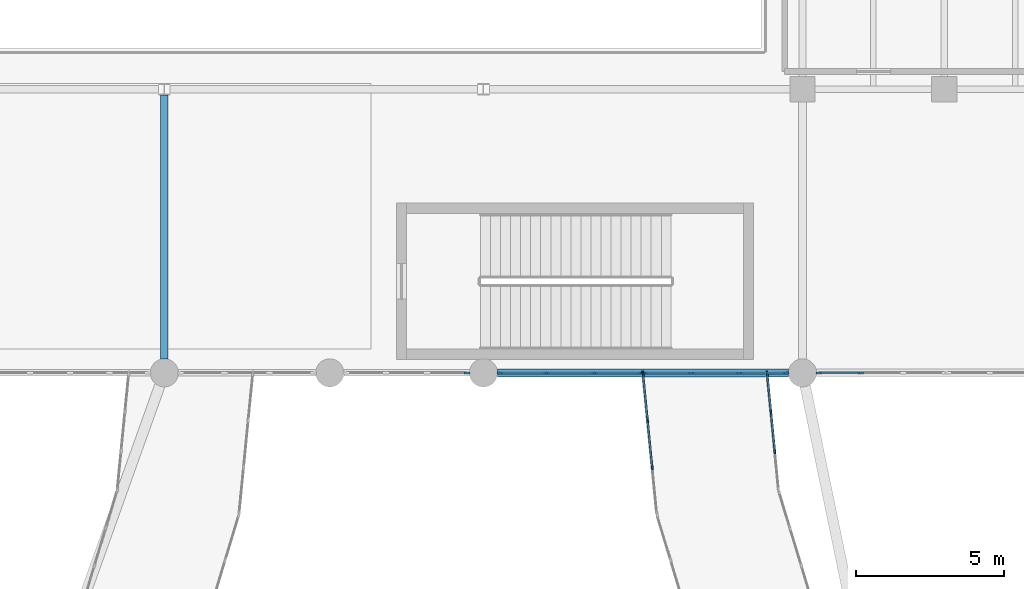
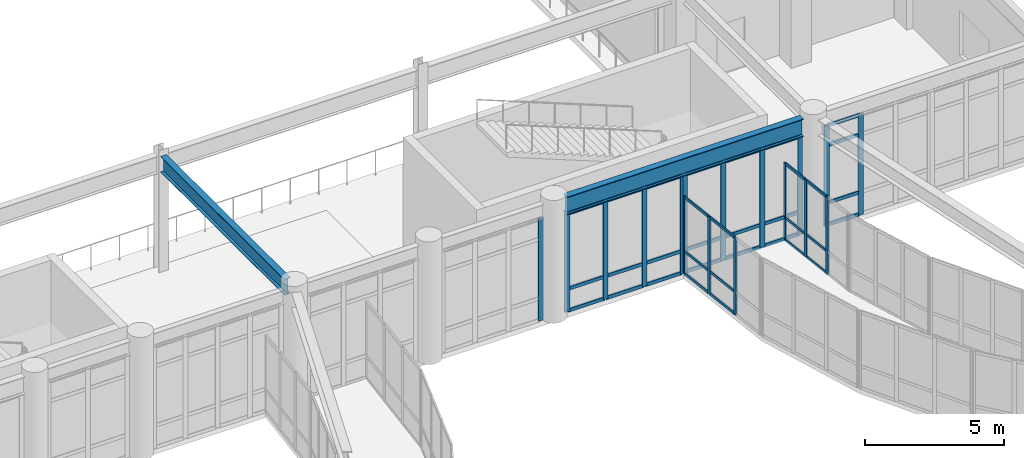
# One storey, part 29 of 72: 51 members, 2 beams, 6 elements without a shape of their own.
"""IFC4 building model written with IfcOpenShell, lengths in metres."""

from ifc_helpers import new_model, si_unit, direction, frame, origin, origin_2d, place, context, subcontext, project, spatial, rectangle, i_section, extrude, material, material_profile, profile_set, type_object, element, aggregate, save


model = new_model("IFC4")

# Units and contexts
model_context = context("Model", 3, precision=1e-05, world=origin(), true_north=direction((0.0, 1.0)))
body_context = subcontext(model_context, "Body", "Model", "MODEL_VIEW")
ifc_project = project(units=[si_unit("LENGTHUNIT", "METRE"), si_unit("AREAUNIT", "SQUARE_METRE"), si_unit("VOLUMEUNIT", "CUBIC_METRE"), si_unit("PLANEANGLEUNIT", "RADIAN"), si_unit("MASSUNIT", "GRAM", prefix="KILO")], contexts=[model_context])

# Site, building, storey
site_placement = place(None, origin())
site = spatial("IfcSite", under=ifc_project, at=site_placement, CompositionType="ELEMENT")
building_placement = place(site_placement, origin())
building = spatial("IfcBuilding", under=site, at=building_placement, Name="Veldera Park Congress Hotel", CompositionType="ELEMENT")
storey_placement = place(building_placement, frame((0.0, 0.0, 5.39990234375)))
storey = spatial("IfcBuildingStorey", under=building, at=storey_placement, Name="L01", CompositionType="ELEMENT", Elevation=5.39990234375)

# Beams
ifc_material_1 = material(Name="Steel ASTM A992 Gr.50", Category="steel")
ifc_material_profile_1 = material_profile(ifc_material_1, i_section(OverallWidth=0.256103515625, OverallDepth=0.693115234375, WebThickness=0.014404296875, FlangeThickness=0.023681640625, at=origin_2d()), Name="W27X114")
ifc_profile_set_1 = profile_set([ifc_material_profile_1], Name="Steel ASTM A992 Gr.50")
beam_type_1 = type_object("IfcBeamType", Name="BM-W27", PredefinedType="BEAM", material=ifc_profile_set_1)
beam_1_placement = place(storey_placement, frame((20.0, 17.875, 4.78369140625), z_axis=(0.0, 1.0, 0.0), x_axis=(-1.0, 0.0, 0.0)))
element("IfcBeam", 1, at=beam_1_placement, inside=storey, type_object=beam_type_1, Name="L01 Girder BM-W27 709", PredefinedType="BEAM", context=body_context, shape_type="SweptSolid", body=[
    extrude(i_section(OverallWidth=0.256103515625, OverallDepth=0.693115234375, WebThickness=0.014404296875, FlangeThickness=0.023681640625, at=origin_2d()), origin(), (0.0, 0.0, 1.0), 8.931396484375),
])
ifc_material_profile_2 = material_profile(ifc_material_1, i_section(OverallWidth=0.26708984375, OverallDepth=0.779052734375, WebThickness=0.0166015625, FlangeThickness=0.030029296875, at=origin_2d()), Name="W30X148")
ifc_profile_set_2 = profile_set([ifc_material_profile_2], Name="Steel ASTM A992 Gr.50")
beam_type_2 = type_object("IfcBeamType", Name="BM-W30", PredefinedType="BEAM", material=ifc_profile_set_2)
beam_2_placement = place(storey_placement, frame((31.27490234375, 17.39990234375, 4.740478515625), z_axis=(1.0, 0.0, 0.0), x_axis=(0.0, 1.0, 0.0)))
element("IfcBeam", 2, at=beam_2_placement, inside=storey, type_object=beam_type_2, Name="L01 Girder BM-W30 604", PredefinedType="BEAM", context=body_context, shape_type="SweptSolid", body=[
    extrude(i_section(OverallWidth=0.26708984375, OverallDepth=0.779052734375, WebThickness=0.0166015625, FlangeThickness=0.030029296875, at=origin_2d()), origin(), (0.0, 0.0, 1.0), 9.85009765625),
])

# Curtain wall, members
ifc_material_2 = material(Name="Low-E Triple Insulating Glass Unit (SHGC 0.22)", Category="glass")
curtain_wall_type_1 = type_object("IfcCurtainWallType", Name="CW-BRG", PredefinedType="NOTDEFINED", material=ifc_material_2)
curtain_wall_1_placement = place(storey_placement, origin())
curtain_wall_1 = element("IfcCurtainWall", 3, at=curtain_wall_1_placement, inside=storey, type_object=curtain_wall_type_1, Name="L01 Curtain Wall CW3-BRGE-L01-A00", PredefinedType="NOTDEFINED")
ifc_material_3 = material(Name="Anodised Aluminium Alloy 6063-T6", Category="aluminium")
ifc_material_profile_3 = material_profile(ifc_material_3, rectangle(XDim=0.06005859375, YDim=0.159912109375, at=origin_2d()), Name="ALU 60x160")
ifc_profile_set_3 = profile_set([ifc_material_profile_3], Name="Anodised Aluminium Alloy 6063-T6")
member_type_1 = type_object("IfcMemberType", Name="CWM-160", PredefinedType="MULLION", material=ifc_profile_set_3)
member_1_placement = place(storey_placement, frame((36.202880859375, 17.3701171875, 0.0), z_axis=(0.0, 0.0, 1.0), x_axis=(0.995184320963, 0.098021259481, 0.0)))
member_1 = element("IfcMember", 4, at=member_1_placement, type_object=member_type_1, Name="CW-BRG mullion 1", PredefinedType="MULLION", context=body_context, shape_type="SweptSolid", body=[
    extrude(rectangle(XDim=0.06005859375, YDim=0.159912109375, at=origin_2d()), origin(), (0.0, 0.0, 1.0), 3.400146484375),
])
member_2_placement = place(storey_placement, frame((36.357666015625, 15.80029296875, 0.0), z_axis=(0.0, 0.0, 1.0), x_axis=(0.995184320963, 0.098021259481, 0.0)))
member_2 = element("IfcMember", 5, at=member_2_placement, type_object=member_type_1, Name="CW-BRG mullion 2", PredefinedType="MULLION", context=body_context, shape_type="SweptSolid", body=[
    extrude(rectangle(XDim=0.06005859375, YDim=0.159912109375, at=origin_2d()), origin(), (0.0, 0.0, 1.0), 3.400146484375),
])
member_3_placement = place(storey_placement, frame((36.51513671875, 14.200439453125, 0.0), z_axis=(0.0, 0.0, 1.0), x_axis=(0.995184320963, 0.098021259481, 0.0)))
member_3 = element("IfcMember", 6, at=member_3_placement, type_object=member_type_1, Name="CW-BRG mullion 3", PredefinedType="MULLION", context=body_context, shape_type="SweptSolid", body=[
    extrude(rectangle(XDim=0.06005859375, YDim=0.159912109375, at=origin_2d()), origin(), (0.0, 0.0, 1.0), 3.400146484375),
])

curtain_wall_2_placement = place(storey_placement, origin())
curtain_wall_2 = element("IfcCurtainWall", 7, at=curtain_wall_2_placement, inside=storey, type_object=curtain_wall_type_1, Name="L01 Curtain Wall CW3-BRGE-L01-B16", PredefinedType="NOTDEFINED")
member_4_placement = place(storey_placement, frame((40.661376953125, 14.746826171875, 0.0), z_axis=(0.0, 0.0, 1.0), x_axis=(-0.99518414337, -0.098023062513, 0.0)))
member_4 = element("IfcMember", 8, at=member_4_placement, type_object=member_type_1, Name="CW-BRG mullion 2", PredefinedType="MULLION", context=body_context, shape_type="SweptSolid", body=[
    extrude(rectangle(XDim=0.06005859375, YDim=0.159912109375, at=origin_2d()), origin(), (0.0, 0.0, 1.0), 3.400146484375),
])
member_5_placement = place(storey_placement, frame((40.53076171875, 16.073486328125, 0.0), z_axis=(0.0, 0.0, 1.0), x_axis=(-0.99518414337, -0.098023062513, 0.0)))
member_5 = element("IfcMember", 9, at=member_5_placement, type_object=member_type_1, Name="CW-BRG mullion 3", PredefinedType="MULLION", context=body_context, shape_type="SweptSolid", body=[
    extrude(rectangle(XDim=0.06005859375, YDim=0.159912109375, at=origin_2d()), origin(), (0.0, 0.0, 1.0), 3.400146484375),
])
member_6_placement = place(storey_placement, frame((40.40283203125, 17.3701171875, 0.0), z_axis=(0.0, 0.0, 1.0), x_axis=(-0.99518414337, -0.098023062513, 0.0)))
member_6 = element("IfcMember", 10, at=member_6_placement, type_object=member_type_1, Name="CW-BRG mullion 4", PredefinedType="MULLION", context=body_context, shape_type="SweptSolid", body=[
    extrude(rectangle(XDim=0.06005859375, YDim=0.159912109375, at=origin_2d()), origin(), (0.0, 0.0, 1.0), 3.400146484375),
])

# Curtain wall, member
curtain_wall_type_2 = type_object("IfcCurtainWallType", Name="CW-POD", PredefinedType="NOTDEFINED", material=ifc_material_2)
curtain_wall_3_placement = place(storey_placement, origin())
curtain_wall_3 = element("IfcCurtainWall", 11, at=curtain_wall_3_placement, inside=storey, type_object=curtain_wall_type_2, Name="L01 Curtain Wall CW3-V2S-L01-034", PredefinedType="NOTDEFINED")
ifc_material_profile_4 = material_profile(ifc_material_3, rectangle(XDim=0.074951171875, YDim=0.199951171875, at=origin_2d()), Name="ALU 75x200")
ifc_profile_set_4 = profile_set([ifc_material_profile_4], Name="Anodised Aluminium Alloy 6063-T6")
member_type_2 = type_object("IfcMemberType", Name="CWM-200", PredefinedType="MULLION", material=ifc_profile_set_4)
member_7_placement = place(storey_placement, frame((30.24755859375, 17.39990234375, 0.0), z_axis=(0.0, 0.0, 1.0), x_axis=(0.0, 1.0, 0.0)))
member_7 = element("IfcMember", 12, at=member_7_placement, type_object=member_type_2, Name="CW-POD mullion 4", PredefinedType="MULLION", context=body_context, shape_type="SweptSolid", body=[
    extrude(rectangle(XDim=0.074951171875, YDim=0.199951171875, at=origin_2d()), origin(), (0.0, 0.0, 1.0), 4.51318359375),
])
aggregate(curtain_wall_3, [member_7])

# Curtain wall, members
curtain_wall_4_placement = place(storey_placement, origin())
curtain_wall_4 = element("IfcCurtainWall", 13, at=curtain_wall_4_placement, inside=storey, type_object=curtain_wall_type_2, Name="L01 Curtain Wall CW3-V2S-L01-035", PredefinedType="NOTDEFINED")
member_8_placement = place(storey_placement, frame((31.3525390625, 17.39990234375, 0.0), z_axis=(0.0, 0.0, 1.0), x_axis=(0.0, 1.0, 0.0)))
member_8 = element("IfcMember", 14, at=member_8_placement, type_object=member_type_2, Name="CW-POD mullion 1", PredefinedType="MULLION", context=body_context, shape_type="SweptSolid", body=[
    extrude(rectangle(XDim=0.074951171875, YDim=0.199951171875, at=origin_2d()), origin(), (0.0, 0.0, 1.0), 4.34619140625),
])
member_9_placement = place(storey_placement, frame((32.938232421875, 17.39990234375, 0.0), z_axis=(0.0, 0.0, 1.0), x_axis=(0.0, 1.0, 0.0)))
member_9 = element("IfcMember", 15, at=member_9_placement, type_object=member_type_2, Name="CW-POD mullion 2", PredefinedType="MULLION", context=body_context, shape_type="SweptSolid", body=[
    extrude(rectangle(XDim=0.074951171875, YDim=0.199951171875, at=origin_2d()), origin(), (0.0, 0.0, 1.0), 4.34619140625),
])
member_10_placement = place(storey_placement, frame((34.561767578125, 17.39990234375, 0.0), z_axis=(0.0, 0.0, 1.0), x_axis=(0.0, 1.0, 0.0)))
member_10 = element("IfcMember", 16, at=member_10_placement, type_object=member_type_2, Name="CW-POD mullion 3", PredefinedType="MULLION", context=body_context, shape_type="SweptSolid", body=[
    extrude(rectangle(XDim=0.074951171875, YDim=0.199951171875, at=origin_2d()), origin(), (0.0, 0.0, 1.0), 4.34619140625),
])
member_11_placement = place(storey_placement, frame((36.1474609375, 17.39990234375, 0.0), z_axis=(0.0, 0.0, 1.0), x_axis=(0.0, 1.0, 0.0)))
member_11 = element("IfcMember", 17, at=member_11_placement, type_object=member_type_2, Name="CW-POD mullion 4", PredefinedType="MULLION", context=body_context, shape_type="SweptSolid", body=[
    extrude(rectangle(XDim=0.074951171875, YDim=0.199951171875, at=origin_2d()), origin(), (0.0, 0.0, 1.0), 4.34619140625),
])

curtain_wall_5_placement = place(storey_placement, origin())
curtain_wall_5 = element("IfcCurtainWall", 18, at=curtain_wall_5_placement, inside=storey, type_object=curtain_wall_type_2, Name="L01 Curtain Wall CW3-V2S-L01-036", PredefinedType="NOTDEFINED")
member_12_placement = place(storey_placement, frame((36.25244140625, 17.39990234375, 0.0), z_axis=(0.0, 0.0, 1.0), x_axis=(0.0, 1.0, 0.0)))
member_12 = element("IfcMember", 19, at=member_12_placement, type_object=member_type_2, Name="CW-POD mullion 1", PredefinedType="MULLION", context=body_context, shape_type="SweptSolid", body=[
    extrude(rectangle(XDim=0.074951171875, YDim=0.199951171875, at=origin_2d()), origin(), (0.0, 0.0, 1.0), 4.34619140625),
])
member_13_placement = place(storey_placement, frame((37.83837890625, 17.39990234375, 0.0), z_axis=(0.0, 0.0, 1.0), x_axis=(0.0, 1.0, 0.0)))
member_13 = element("IfcMember", 20, at=member_13_placement, type_object=member_type_2, Name="CW-POD mullion 2", PredefinedType="MULLION", context=body_context, shape_type="SweptSolid", body=[
    extrude(rectangle(XDim=0.074951171875, YDim=0.199951171875, at=origin_2d()), origin(), (0.0, 0.0, 1.0), 4.34619140625),
])
member_14_placement = place(storey_placement, frame((39.461669921875, 17.39990234375, 0.0), z_axis=(0.0, 0.0, 1.0), x_axis=(0.0, 1.0, 0.0)))
member_14 = element("IfcMember", 21, at=member_14_placement, type_object=member_type_2, Name="CW-POD mullion 3", PredefinedType="MULLION", context=body_context, shape_type="SweptSolid", body=[
    extrude(rectangle(XDim=0.074951171875, YDim=0.199951171875, at=origin_2d()), origin(), (0.0, 0.0, 1.0), 4.34619140625),
])
member_15_placement = place(storey_placement, frame((41.047607421875, 17.39990234375, 0.0), z_axis=(0.0, 0.0, 1.0), x_axis=(0.0, 1.0, 0.0)))
member_15 = element("IfcMember", 22, at=member_15_placement, type_object=member_type_2, Name="CW-POD mullion 4", PredefinedType="MULLION", context=body_context, shape_type="SweptSolid", body=[
    extrude(rectangle(XDim=0.074951171875, YDim=0.199951171875, at=origin_2d()), origin(), (0.0, 0.0, 1.0), 4.34619140625),
])

curtain_wall_6_placement = place(storey_placement, origin())
curtain_wall_6 = element("IfcCurtainWall", 23, at=curtain_wall_6_placement, inside=storey, type_object=curtain_wall_type_2, Name="L01 Curtain Wall CW3-V2S-L01-037", PredefinedType="NOTDEFINED")
member_16_placement = place(storey_placement, frame((42.152587890625, 17.39990234375, 0.0), z_axis=(0.0, 0.0, 1.0), x_axis=(0.0, 1.0, 0.0)))
member_16 = element("IfcMember", 24, at=member_16_placement, type_object=member_type_2, Name="CW-POD mullion 1", PredefinedType="MULLION", context=body_context, shape_type="SweptSolid", body=[
    extrude(rectangle(XDim=0.074951171875, YDim=0.199951171875, at=origin_2d()), origin(), (0.0, 0.0, 1.0), 4.43212890625),
])
member_17_placement = place(storey_placement, frame((43.563232421875, 17.39990234375, 0.0), z_axis=(0.0, 0.0, 1.0), x_axis=(0.0, 1.0, 0.0)))
member_17 = element("IfcMember", 25, at=member_17_placement, type_object=member_type_2, Name="CW-POD mullion 2", PredefinedType="MULLION", context=body_context, shape_type="SweptSolid", body=[
    extrude(rectangle(XDim=0.074951171875, YDim=0.199951171875, at=origin_2d()), origin(), (0.0, 0.0, 1.0), 4.43212890625),
])

# Member
ifc_material_profile_5 = material_profile(ifc_material_3, rectangle(XDim=0.06005859375, YDim=0.1201171875, at=origin_2d()), Name="ALU 60x120")
ifc_profile_set_5 = profile_set([ifc_material_profile_5], Name="Anodised Aluminium Alloy 6063-T6")
member_type_3 = type_object("IfcMemberType", Name="CWT-120", PredefinedType="USERDEFINED", material=ifc_profile_set_5)
member_18_placement = place(storey_placement, frame((36.205810546875, 17.34033203125, 0.030029296875), z_axis=(0.098133797338, -0.995173230056, 0.0), x_axis=(0.995173230056, 0.098133797338, 0.0)))
member_18 = element("IfcMember", 26, at=member_18_placement, type_object=member_type_3, Name="CW-BRG transom 1.1", ObjectType="TRANSOM", PredefinedType="USERDEFINED", context=body_context, shape_type="SweptSolid", body=[
    extrude(rectangle(XDim=0.06005859375, YDim=0.1201171875, at=origin_2d()), origin(), (0.0, 0.0, 1.0), 1.517578125),
])

member_19_placement = place(storey_placement, frame((36.205810546875, 17.34033203125, 1.0), z_axis=(0.098133797338, -0.995173230056, 0.0), x_axis=(0.995173230056, 0.098133797338, 0.0)))
member_19 = element("IfcMember", 27, at=member_19_placement, type_object=member_type_3, Name="CW-BRG transom 1.2", ObjectType="TRANSOM", PredefinedType="USERDEFINED", context=body_context, shape_type="SweptSolid", body=[
    extrude(rectangle(XDim=0.06005859375, YDim=0.1201171875, at=origin_2d()), origin(), (0.0, 0.0, 1.0), 1.517578125),
])

member_20_placement = place(storey_placement, frame((36.205810546875, 17.34033203125, 3.3701171875), z_axis=(0.098133797338, -0.995173230056, 0.0), x_axis=(0.995173230056, 0.098133797338, 0.0)))
member_20 = element("IfcMember", 28, at=member_20_placement, type_object=member_type_3, Name="CW-BRG transom 1.3", ObjectType="TRANSOM", PredefinedType="USERDEFINED", context=body_context, shape_type="SweptSolid", body=[
    extrude(rectangle(XDim=0.06005859375, YDim=0.1201171875, at=origin_2d()), origin(), (0.0, 0.0, 1.0), 1.517578125),
])

member_21_placement = place(storey_placement, frame((36.360595703125, 15.7705078125, 0.030029296875), z_axis=(0.097972800666, -0.995189092751, 0.0), x_axis=(0.995189092751, 0.097972800666, 0.0)))
member_21 = element("IfcMember", 29, at=member_21_placement, type_object=member_type_3, Name="CW-BRG transom 2.1", ObjectType="TRANSOM", PredefinedType="USERDEFINED", context=body_context, shape_type="SweptSolid", body=[
    extrude(rectangle(XDim=0.06005859375, YDim=0.1201171875, at=origin_2d()), origin(), (0.0, 0.0, 1.0), 1.54736328125),
])

member_22_placement = place(storey_placement, frame((36.360595703125, 15.7705078125, 1.0), z_axis=(0.097972800666, -0.995189092751, 0.0), x_axis=(0.995189092751, 0.097972800666, 0.0)))
member_22 = element("IfcMember", 30, at=member_22_placement, type_object=member_type_3, Name="CW-BRG transom 2.2", ObjectType="TRANSOM", PredefinedType="USERDEFINED", context=body_context, shape_type="SweptSolid", body=[
    extrude(rectangle(XDim=0.06005859375, YDim=0.1201171875, at=origin_2d()), origin(), (0.0, 0.0, 1.0), 1.54736328125),
])

member_23_placement = place(storey_placement, frame((36.360595703125, 15.7705078125, 3.3701171875), z_axis=(0.097972800666, -0.995189092751, 0.0), x_axis=(0.995189092751, 0.097972800666, 0.0)))
member_23 = element("IfcMember", 31, at=member_23_placement, type_object=member_type_3, Name="CW-BRG transom 2.3", ObjectType="TRANSOM", PredefinedType="USERDEFINED", context=body_context, shape_type="SweptSolid", body=[
    extrude(rectangle(XDim=0.06005859375, YDim=0.1201171875, at=origin_2d()), origin(), (0.0, 0.0, 1.0), 1.54736328125),
])

aggregate(curtain_wall_1, [member_1, member_2, member_3, member_18, member_19, member_20, member_21, member_22, member_23])

member_24_placement = place(storey_placement, frame((40.658447265625, 14.776611328125, 0.030029296875), z_axis=(-0.098003484786, 0.995186071531, 0.0), x_axis=(-0.995186071531, -0.098003484786, 0.0)))
member_24 = element("IfcMember", 32, at=member_24_placement, type_object=member_type_3, Name="CW-BRG transom 2.1", ObjectType="TRANSOM", PredefinedType="USERDEFINED", context=body_context, shape_type="SweptSolid", body=[
    extrude(rectangle(XDim=0.06005859375, YDim=0.1201171875, at=origin_2d()), origin(), (0.0, 0.0, 1.0), 1.27294921875),
])

member_25_placement = place(storey_placement, frame((40.658447265625, 14.776611328125, 1.0), z_axis=(-0.098003484786, 0.995186071531, 0.0), x_axis=(-0.995186071531, -0.098003484786, 0.0)))
member_25 = element("IfcMember", 33, at=member_25_placement, type_object=member_type_3, Name="CW-BRG transom 2.2", ObjectType="TRANSOM", PredefinedType="USERDEFINED", context=body_context, shape_type="SweptSolid", body=[
    extrude(rectangle(XDim=0.06005859375, YDim=0.1201171875, at=origin_2d()), origin(), (0.0, 0.0, 1.0), 1.27294921875),
])

member_26_placement = place(storey_placement, frame((40.658447265625, 14.776611328125, 3.3701171875), z_axis=(-0.098003484786, 0.995186071531, 0.0), x_axis=(-0.995186071531, -0.098003484786, 0.0)))
member_26 = element("IfcMember", 34, at=member_26_placement, type_object=member_type_3, Name="CW-BRG transom 2.3", ObjectType="TRANSOM", PredefinedType="USERDEFINED", context=body_context, shape_type="SweptSolid", body=[
    extrude(rectangle(XDim=0.06005859375, YDim=0.1201171875, at=origin_2d()), origin(), (0.0, 0.0, 1.0), 1.27294921875),
])

member_27_placement = place(storey_placement, frame((40.52783203125, 16.103271484375, 0.030029296875), z_axis=(-0.098200771998, 0.995166623425, 0.0), x_axis=(-0.995166623425, -0.098200771998, 0.0)))
member_27 = element("IfcMember", 35, at=member_27_placement, type_object=member_type_3, Name="CW-BRG transom 3.1", ObjectType="TRANSOM", PredefinedType="USERDEFINED", context=body_context, shape_type="SweptSolid", body=[
    extrude(rectangle(XDim=0.06005859375, YDim=0.1201171875, at=origin_2d()), origin(), (0.0, 0.0, 1.0), 1.2431640625),
])

member_28_placement = place(storey_placement, frame((40.52783203125, 16.103271484375, 1.0), z_axis=(-0.098200771998, 0.995166623425, 0.0), x_axis=(-0.995166623425, -0.098200771998, 0.0)))
member_28 = element("IfcMember", 36, at=member_28_placement, type_object=member_type_3, Name="CW-BRG transom 3.2", ObjectType="TRANSOM", PredefinedType="USERDEFINED", context=body_context, shape_type="SweptSolid", body=[
    extrude(rectangle(XDim=0.06005859375, YDim=0.1201171875, at=origin_2d()), origin(), (0.0, 0.0, 1.0), 1.2431640625),
])

member_29_placement = place(storey_placement, frame((40.52783203125, 16.103271484375, 3.3701171875), z_axis=(-0.098200771998, 0.995166623425, 0.0), x_axis=(-0.995166623425, -0.098200771998, 0.0)))
member_29 = element("IfcMember", 37, at=member_29_placement, type_object=member_type_3, Name="CW-BRG transom 3.3", ObjectType="TRANSOM", PredefinedType="USERDEFINED", context=body_context, shape_type="SweptSolid", body=[
    extrude(rectangle(XDim=0.06005859375, YDim=0.1201171875, at=origin_2d()), origin(), (0.0, 0.0, 1.0), 1.2431640625),
])

aggregate(curtain_wall_2, [member_4, member_5, member_6, member_24, member_25, member_26, member_27, member_28, member_29])

ifc_material_profile_6 = material_profile(ifc_material_3, rectangle(XDim=0.074951171875, YDim=0.14990234375, at=origin_2d()), Name="ALU 75x150")
ifc_profile_set_6 = profile_set([ifc_material_profile_6], Name="Anodised Aluminium Alloy 6063-T6")
member_type_4 = type_object("IfcMemberType", Name="CWT-150", PredefinedType="USERDEFINED", material=ifc_profile_set_6)
member_30_placement = place(storey_placement, frame((31.389892578125, 17.39990234375, 0.03759765625), z_axis=(1.0, 0.0, 0.0), x_axis=(0.0, 1.0, 0.0)))
member_30 = element("IfcMember", 38, at=member_30_placement, type_object=member_type_4, Name="CW-POD transom 1.1", ObjectType="TRANSOM", PredefinedType="USERDEFINED", context=body_context, shape_type="SweptSolid", body=[
    extrude(rectangle(XDim=0.074951171875, YDim=0.14990234375, at=origin_2d()), origin(), (0.0, 0.0, 1.0), 1.510986328125),
])

member_31_placement = place(storey_placement, frame((31.389892578125, 17.39990234375, 1.0), z_axis=(1.0, 0.0, 0.0), x_axis=(0.0, 1.0, 0.0)))
member_31 = element("IfcMember", 39, at=member_31_placement, type_object=member_type_4, Name="CW-POD transom 1.2", ObjectType="TRANSOM", PredefinedType="USERDEFINED", context=body_context, shape_type="SweptSolid", body=[
    extrude(rectangle(XDim=0.074951171875, YDim=0.14990234375, at=origin_2d()), origin(), (0.0, 0.0, 1.0), 1.510986328125),
])

member_32_placement = place(storey_placement, frame((31.389892578125, 17.39990234375, 4.30859375), z_axis=(1.0, 0.0, 0.0), x_axis=(0.0, 1.0, 0.0)))
member_32 = element("IfcMember", 40, at=member_32_placement, type_object=member_type_4, Name="CW-POD transom 1.3", ObjectType="TRANSOM", PredefinedType="USERDEFINED", context=body_context, shape_type="SweptSolid", body=[
    extrude(rectangle(XDim=0.074951171875, YDim=0.14990234375, at=origin_2d()), origin(), (0.0, 0.0, 1.0), 1.510986328125),
])

member_33_placement = place(storey_placement, frame((32.975830078125, 17.39990234375, 0.03759765625), z_axis=(1.0, 0.0, 0.0), x_axis=(0.0, 1.0, 0.0)))
member_33 = element("IfcMember", 41, at=member_33_placement, type_object=member_type_4, Name="CW-POD transom 2.1", ObjectType="TRANSOM", PredefinedType="USERDEFINED", context=body_context, shape_type="SweptSolid", body=[
    extrude(rectangle(XDim=0.074951171875, YDim=0.14990234375, at=origin_2d()), origin(), (0.0, 0.0, 1.0), 1.54833984375),
])

member_34_placement = place(storey_placement, frame((32.975830078125, 17.39990234375, 1.0), z_axis=(1.0, 0.0, 0.0), x_axis=(0.0, 1.0, 0.0)))
member_34 = element("IfcMember", 42, at=member_34_placement, type_object=member_type_4, Name="CW-POD transom 2.2", ObjectType="TRANSOM", PredefinedType="USERDEFINED", context=body_context, shape_type="SweptSolid", body=[
    extrude(rectangle(XDim=0.074951171875, YDim=0.14990234375, at=origin_2d()), origin(), (0.0, 0.0, 1.0), 1.54833984375),
])

member_35_placement = place(storey_placement, frame((32.975830078125, 17.39990234375, 4.30859375), z_axis=(1.0, 0.0, 0.0), x_axis=(0.0, 1.0, 0.0)))
member_35 = element("IfcMember", 43, at=member_35_placement, type_object=member_type_4, Name="CW-POD transom 2.3", ObjectType="TRANSOM", PredefinedType="USERDEFINED", context=body_context, shape_type="SweptSolid", body=[
    extrude(rectangle(XDim=0.074951171875, YDim=0.14990234375, at=origin_2d()), origin(), (0.0, 0.0, 1.0), 1.54833984375),
])

member_36_placement = place(storey_placement, frame((34.59912109375, 17.39990234375, 0.03759765625), z_axis=(1.0, 0.0, 0.0), x_axis=(0.0, 1.0, 0.0)))
member_36 = element("IfcMember", 44, at=member_36_placement, type_object=member_type_4, Name="CW-POD transom 3.1", ObjectType="TRANSOM", PredefinedType="USERDEFINED", context=body_context, shape_type="SweptSolid", body=[
    extrude(rectangle(XDim=0.074951171875, YDim=0.14990234375, at=origin_2d()), origin(), (0.0, 0.0, 1.0), 1.510986328125),
])

member_37_placement = place(storey_placement, frame((34.59912109375, 17.39990234375, 1.0), z_axis=(1.0, 0.0, 0.0), x_axis=(0.0, 1.0, 0.0)))
member_37 = element("IfcMember", 45, at=member_37_placement, type_object=member_type_4, Name="CW-POD transom 3.2", ObjectType="TRANSOM", PredefinedType="USERDEFINED", context=body_context, shape_type="SweptSolid", body=[
    extrude(rectangle(XDim=0.074951171875, YDim=0.14990234375, at=origin_2d()), origin(), (0.0, 0.0, 1.0), 1.510986328125),
])

member_38_placement = place(storey_placement, frame((34.59912109375, 17.39990234375, 4.30859375), z_axis=(1.0, 0.0, 0.0), x_axis=(0.0, 1.0, 0.0)))
member_38 = element("IfcMember", 46, at=member_38_placement, type_object=member_type_4, Name="CW-POD transom 3.3", ObjectType="TRANSOM", PredefinedType="USERDEFINED", context=body_context, shape_type="SweptSolid", body=[
    extrude(rectangle(XDim=0.074951171875, YDim=0.14990234375, at=origin_2d()), origin(), (0.0, 0.0, 1.0), 1.510986328125),
])

aggregate(curtain_wall_4, [member_8, member_9, member_10, member_11, member_30, member_31, member_32, member_33, member_34, member_35, member_36, member_37, member_38])

member_39_placement = place(storey_placement, frame((36.2900390625, 17.39990234375, 0.03759765625), z_axis=(1.0, 0.0, 0.0), x_axis=(0.0, 1.0, 0.0)))
member_39 = element("IfcMember", 47, at=member_39_placement, type_object=member_type_4, Name="CW-POD transom 1.1", ObjectType="TRANSOM", PredefinedType="USERDEFINED", context=body_context, shape_type="SweptSolid", body=[
    extrude(rectangle(XDim=0.074951171875, YDim=0.14990234375, at=origin_2d()), origin(), (0.0, 0.0, 1.0), 1.5107421875),
])

member_40_placement = place(storey_placement, frame((36.2900390625, 17.39990234375, 1.0), z_axis=(1.0, 0.0, 0.0), x_axis=(0.0, 1.0, 0.0)))
member_40 = element("IfcMember", 48, at=member_40_placement, type_object=member_type_4, Name="CW-POD transom 1.2", ObjectType="TRANSOM", PredefinedType="USERDEFINED", context=body_context, shape_type="SweptSolid", body=[
    extrude(rectangle(XDim=0.074951171875, YDim=0.14990234375, at=origin_2d()), origin(), (0.0, 0.0, 1.0), 1.5107421875),
])

member_41_placement = place(storey_placement, frame((36.2900390625, 17.39990234375, 4.30859375), z_axis=(1.0, 0.0, 0.0), x_axis=(0.0, 1.0, 0.0)))
member_41 = element("IfcMember", 49, at=member_41_placement, type_object=member_type_4, Name="CW-POD transom 1.3", ObjectType="TRANSOM", PredefinedType="USERDEFINED", context=body_context, shape_type="SweptSolid", body=[
    extrude(rectangle(XDim=0.074951171875, YDim=0.14990234375, at=origin_2d()), origin(), (0.0, 0.0, 1.0), 1.5107421875),
])

member_42_placement = place(storey_placement, frame((37.875732421875, 17.39990234375, 0.03759765625), z_axis=(1.0, 0.0, 0.0), x_axis=(0.0, 1.0, 0.0)))
member_42 = element("IfcMember", 50, at=member_42_placement, type_object=member_type_4, Name="CW-POD transom 2.1", ObjectType="TRANSOM", PredefinedType="USERDEFINED", context=body_context, shape_type="SweptSolid", body=[
    extrude(rectangle(XDim=0.074951171875, YDim=0.14990234375, at=origin_2d()), origin(), (0.0, 0.0, 1.0), 1.54833984375),
])

member_43_placement = place(storey_placement, frame((37.875732421875, 17.39990234375, 1.0), z_axis=(1.0, 0.0, 0.0), x_axis=(0.0, 1.0, 0.0)))
member_43 = element("IfcMember", 51, at=member_43_placement, type_object=member_type_4, Name="CW-POD transom 2.2", ObjectType="TRANSOM", PredefinedType="USERDEFINED", context=body_context, shape_type="SweptSolid", body=[
    extrude(rectangle(XDim=0.074951171875, YDim=0.14990234375, at=origin_2d()), origin(), (0.0, 0.0, 1.0), 1.54833984375),
])

member_44_placement = place(storey_placement, frame((37.875732421875, 17.39990234375, 4.30859375), z_axis=(1.0, 0.0, 0.0), x_axis=(0.0, 1.0, 0.0)))
member_44 = element("IfcMember", 52, at=member_44_placement, type_object=member_type_4, Name="CW-POD transom 2.3", ObjectType="TRANSOM", PredefinedType="USERDEFINED", context=body_context, shape_type="SweptSolid", body=[
    extrude(rectangle(XDim=0.074951171875, YDim=0.14990234375, at=origin_2d()), origin(), (0.0, 0.0, 1.0), 1.54833984375),
])

member_45_placement = place(storey_placement, frame((39.499267578125, 17.39990234375, 0.03759765625), z_axis=(1.0, 0.0, 0.0), x_axis=(0.0, 1.0, 0.0)))
member_45 = element("IfcMember", 53, at=member_45_placement, type_object=member_type_4, Name="CW-POD transom 3.1", ObjectType="TRANSOM", PredefinedType="USERDEFINED", context=body_context, shape_type="SweptSolid", body=[
    extrude(rectangle(XDim=0.074951171875, YDim=0.14990234375, at=origin_2d()), origin(), (0.0, 0.0, 1.0), 1.5107421875),
])

member_46_placement = place(storey_placement, frame((39.499267578125, 17.39990234375, 1.0), z_axis=(1.0, 0.0, 0.0), x_axis=(0.0, 1.0, 0.0)))
member_46 = element("IfcMember", 54, at=member_46_placement, type_object=member_type_4, Name="CW-POD transom 3.2", ObjectType="TRANSOM", PredefinedType="USERDEFINED", context=body_context, shape_type="SweptSolid", body=[
    extrude(rectangle(XDim=0.074951171875, YDim=0.14990234375, at=origin_2d()), origin(), (0.0, 0.0, 1.0), 1.5107421875),
])

member_47_placement = place(storey_placement, frame((39.499267578125, 17.39990234375, 4.30859375), z_axis=(1.0, 0.0, 0.0), x_axis=(0.0, 1.0, 0.0)))
member_47 = element("IfcMember", 55, at=member_47_placement, type_object=member_type_4, Name="CW-POD transom 3.3", ObjectType="TRANSOM", PredefinedType="USERDEFINED", context=body_context, shape_type="SweptSolid", body=[
    extrude(rectangle(XDim=0.074951171875, YDim=0.14990234375, at=origin_2d()), origin(), (0.0, 0.0, 1.0), 1.5107421875),
])

aggregate(curtain_wall_5, [member_12, member_13, member_14, member_15, member_39, member_40, member_41, member_42, member_43, member_44, member_45, member_46, member_47])

member_48_placement = place(storey_placement, frame((42.18994140625, 17.39990234375, 0.03759765625), z_axis=(1.0, 0.0, 0.0), x_axis=(0.0, 1.0, 0.0)))
member_48 = element("IfcMember", 56, at=member_48_placement, type_object=member_type_4, Name="CW-POD transom 1.1", ObjectType="TRANSOM", PredefinedType="USERDEFINED", context=body_context, shape_type="SweptSolid", body=[
    extrude(rectangle(XDim=0.074951171875, YDim=0.14990234375, at=origin_2d()), origin(), (0.0, 0.0, 1.0), 1.3359375),
])

member_49_placement = place(storey_placement, frame((42.18994140625, 17.39990234375, 1.0), z_axis=(1.0, 0.0, 0.0), x_axis=(0.0, 1.0, 0.0)))
member_49 = element("IfcMember", 57, at=member_49_placement, type_object=member_type_4, Name="CW-POD transom 1.2", ObjectType="TRANSOM", PredefinedType="USERDEFINED", context=body_context, shape_type="SweptSolid", body=[
    extrude(rectangle(XDim=0.074951171875, YDim=0.14990234375, at=origin_2d()), origin(), (0.0, 0.0, 1.0), 1.3359375),
])

member_50_placement = place(storey_placement, frame((42.18994140625, 17.39990234375, 3.531982421875), z_axis=(1.0, 0.0, 0.0), x_axis=(0.0, 1.0, 0.0)))
member_50 = element("IfcMember", 58, at=member_50_placement, type_object=member_type_4, Name="CW-POD transom 1.3", ObjectType="TRANSOM", PredefinedType="USERDEFINED", context=body_context, shape_type="SweptSolid", body=[
    extrude(rectangle(XDim=0.074951171875, YDim=0.14990234375, at=origin_2d()), origin(), (0.0, 0.0, 1.0), 1.3359375),
])

member_51_placement = place(storey_placement, frame((42.18994140625, 17.39990234375, 4.39453125), z_axis=(1.0, 0.0, 0.0), x_axis=(0.0, 1.0, 0.0)))
member_51 = element("IfcMember", 59, at=member_51_placement, type_object=member_type_4, Name="CW-POD transom 1.4", ObjectType="TRANSOM", PredefinedType="USERDEFINED", context=body_context, shape_type="SweptSolid", body=[
    extrude(rectangle(XDim=0.074951171875, YDim=0.14990234375, at=origin_2d()), origin(), (0.0, 0.0, 1.0), 1.3359375),
])

aggregate(curtain_wall_6, [member_16, member_17, member_48, member_49, member_50, member_51])

save(model, "model.ifc")
